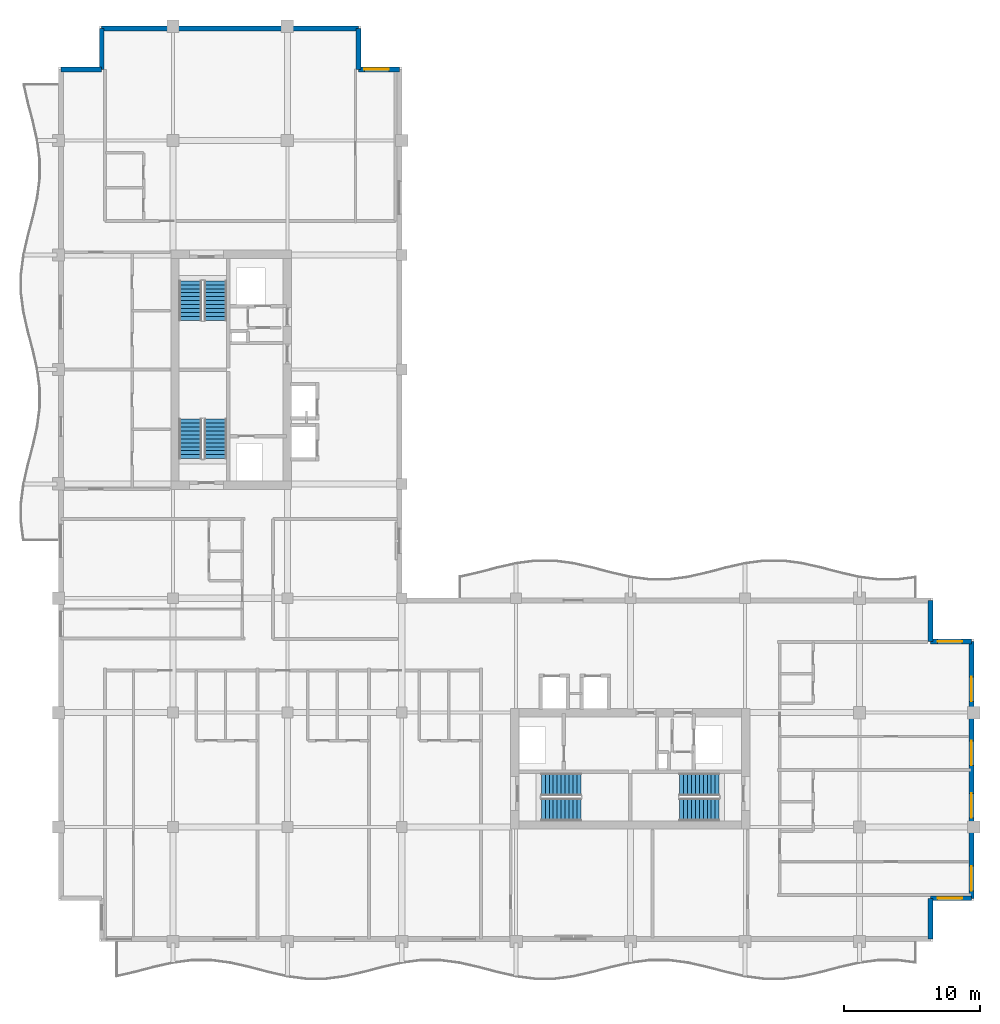
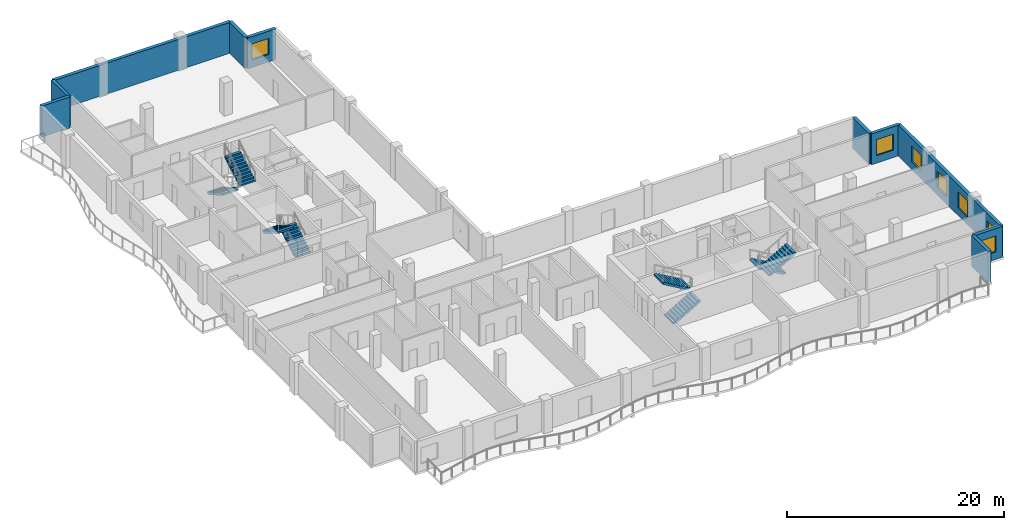
# One storey, part 8 of 12: 10 walls, 8 stair flights, 7 windows, 7 openings, 4 elements without a shape of their own.
"""IFC4 building model written with IfcOpenShell, lengths in metres."""

from ifc_helpers import new_model, si_unit, direction, frame, frame_2d, origin, place, context, subcontext, project, spatial, polyline, rectangle, outline, extrude, material, layer, layer_set, type_object, element, fill, aggregate, save


model = new_model("IFC4")

# Units and contexts
model_context = context("Model", 3, precision=1e-05, world=origin(), true_north=direction((0.0, 1.0)))
body_context = subcontext(model_context, "Body", "Model", "MODEL_VIEW")
ifc_project = project(units=[si_unit("LENGTHUNIT", "METRE"), si_unit("AREAUNIT", "SQUARE_METRE"), si_unit("VOLUMEUNIT", "CUBIC_METRE"), si_unit("PLANEANGLEUNIT", "RADIAN"), si_unit("MASSUNIT", "GRAM", prefix="KILO")], contexts=[model_context])

# Site, building, storey
site_placement = place(None, origin())
site = spatial("IfcSite", under=ifc_project, at=site_placement, CompositionType="ELEMENT")
building_placement = place(site_placement, origin())
building = spatial("IfcBuilding", under=site, at=building_placement, Name="Koriwani Terraces Tower", CompositionType="ELEMENT")
storey_placement = place(building_placement, frame((0.0, 0.0, 249.0)))
storey = spatial("IfcBuildingStorey", under=building, at=storey_placement, Name="L61", CompositionType="ELEMENT", Elevation=249.0)

# Walls
ifc_material_1 = material(Name="Concrete C50/60", Category="concrete")
ifc_layer = layer(ifc_material_1, 0.35009765625, Name="Concrete C50/60")
ifc_layer_set = layer_set([ifc_layer], Name="Concrete C50/60")
wall_type = type_object("IfcWallType", Name="WALL_EXT_BRUTALIST_350", PredefinedType="STANDARD", material=ifc_layer_set)
for number, where, z_axis, x_axis, name in (
    (1, (8.574951171875, 72.425048828125, 0.0), (0.0, 0.0, 1.0), (1.0, 0.0, 0.0), "L61 Fair-Faced Brutalist Exterior Wall (N3)"),
    (2, (11.574951171875, 72.425048828125, 0.0), (0.0, 0.0, 1.0), (0.0, 1.0, 0.0), "L61 Fair-Faced Brutalist Exterior Wall (N4)"),
):
    element("IfcWall", number, at=place(storey_placement, frame(where, z_axis=z_axis, x_axis=x_axis)), inside=storey, type_object=wall_type, Name=name, PredefinedType="STANDARD", context=body_context, shape_type="SweptSolid", body=[
        extrude(rectangle(XDim=3.0, YDim=0.35009765625, at=frame_2d((1.5, 0.0))), origin(), (0.0, 0.0, 1.0), 3.469970703125),
    ])
wall_1_placement = place(storey_placement, frame((11.574951171875, 75.425048828125, 0.0), z_axis=(0.0, 0.0, 1.0), x_axis=(1.0, 0.0, 0.0)))
element("IfcWall", 3, at=wall_1_placement, inside=storey, type_object=wall_type, Name="L61 Fair-Faced Brutalist Exterior Wall (N_TIP)", PredefinedType="STANDARD", context=body_context, shape_type="SweptSolid", body=[
    extrude(rectangle(XDim=18.85009765625, YDim=0.35009765625, at=frame_2d((9.425048828125, 0.0))), origin(), (0.0, 0.0, 1.0), 3.469970703125),
])
wall_2_placement = place(storey_placement, frame((30.425048828125, 75.425048828125, 0.0), z_axis=(0.0, 0.0, 1.0), x_axis=(0.0, -1.0, 0.0)))
element("IfcWall", 4, at=wall_2_placement, inside=storey, type_object=wall_type, Name="L61 Fair-Faced Brutalist Exterior Wall (N6)", PredefinedType="STANDARD", context=body_context, shape_type="SweptSolid", body=[
    extrude(rectangle(XDim=3.0, YDim=0.35009765625, at=frame_2d((1.5, 0.0))), origin(), (0.0, 0.0, 1.0), 3.469970703125),
])

# Wall, opening, window
wall_3_placement = place(storey_placement, frame((30.425048828125, 72.425048828125, 0.0), z_axis=(0.0, 0.0, 1.0), x_axis=(1.0, 0.0, 0.0)))
wall_3 = element("IfcWall", 5, at=wall_3_placement, inside=storey, type_object=wall_type, Name="L61 Fair-Faced Brutalist Exterior Wall (N7)", PredefinedType="STANDARD", context=body_context, shape_type="SweptSolid", body=[
    extrude(rectangle(XDim=3.0, YDim=0.35009765625, at=frame_2d((1.5, 0.0))), origin(), (0.0, 0.0, 1.0), 3.469970703125),
])
opening_1_placement = place(wall_3_placement, frame((0.4375, 0.0, 0.85009765625)))
opening_1 = element("IfcOpeningElement", 6, at=opening_1_placement, cuts=wall_3, Name="Opening W-04", PredefinedType="OPENING", context=body_context, shape_type="SweptSolid", body=[
    extrude(rectangle(XDim=1.800048828125, YDim=1.800048828125, at=frame_2d((0.89990234375, 0.89990234375))), frame((0.0, 0.18505859375, 0.0), z_axis=(0.0, -1.0, 0.0), x_axis=(1.0, 0.0, 0.0)), (0.0, 0.0, 1.0), 0.3701171875),
])
ifc_material_2 = material(Name="Tempered Laminated Low-E Glass", Category="glass")
window_type = type_object("IfcWindowType", Name="WIN_RES_BED_1800X1800", PartitioningType="DOUBLE_PANEL_VERTICAL", PredefinedType="WINDOW", material=ifc_material_2)
window_1_placement = place(opening_1_placement, origin())
window_1 = element("IfcWindow", 7, at=window_1_placement, inside=storey, type_object=window_type, Name="L61 Exterior Window (N7-R48)", OverallHeight=1.800048828125, OverallWidth=1.800048828125, PartitioningType="SINGLE_PANEL", PredefinedType="WINDOW", context=body_context, shape_type="SweptSolid", body=[
    extrude(rectangle(XDim=1.800048828125, YDim=1.800048828125, at=frame_2d((0.89990234375, 0.89990234375))), frame((0.0, 0.030029296875, 0.0), z_axis=(0.0, -1.0, 0.0), x_axis=(1.0, 0.0, 0.0)), (0.0, 0.0, 1.0), 0.06005859375),
])
fill(opening_1, window_1)

# Wall
wall_4_placement = place(storey_placement, frame((72.425048828125, 33.425048828125, 0.0), z_axis=(0.0, 0.0, 1.0), x_axis=(0.0, -1.0, 0.0)))
element("IfcWall", 8, at=wall_4_placement, inside=storey, type_object=wall_type, Name="L61 Fair-Faced Brutalist Exterior Wall (N10)", PredefinedType="STANDARD", context=body_context, shape_type="SweptSolid", body=[
    extrude(rectangle(XDim=3.0, YDim=0.35009765625, at=frame_2d((1.5, 0.0))), origin(), (0.0, 0.0, 1.0), 3.469970703125),
])

# Wall, opening, window
wall_5_placement = place(storey_placement, frame((72.425048828125, 30.425048828125, 0.0), z_axis=(0.0, 0.0, 1.0), x_axis=(1.0, 0.0, 0.0)))
wall_5 = element("IfcWall", 9, at=wall_5_placement, inside=storey, type_object=wall_type, Name="L61 Fair-Faced Brutalist Exterior Wall (N11)", PredefinedType="STANDARD", context=body_context, shape_type="SweptSolid", body=[
    extrude(rectangle(XDim=3.0, YDim=0.35009765625, at=frame_2d((1.5, 0.0))), origin(), (0.0, 0.0, 1.0), 3.469970703125),
])
opening_2_placement = place(wall_5_placement, frame((0.507568359375, 0.0, 0.85009765625)))
opening_2 = element("IfcOpeningElement", 10, at=opening_2_placement, cuts=wall_5, Name="Opening W-04", PredefinedType="OPENING", context=body_context, shape_type="SweptSolid", body=[
    extrude(rectangle(XDim=1.800048828125, YDim=1.800048828125, at=frame_2d((0.89990234375, 0.89990234375))), frame((0.0, 0.18505859375, 0.0), z_axis=(0.0, -1.0, 0.0), x_axis=(1.0, 0.0, 0.0)), (0.0, 0.0, 1.0), 0.3701171875),
])
window_2_placement = place(opening_2_placement, origin())
window_2 = element("IfcWindow", 11, at=window_2_placement, inside=storey, type_object=window_type, Name="L61 Exterior Window (N11-R57)", OverallHeight=1.800048828125, OverallWidth=1.800048828125, PartitioningType="SINGLE_PANEL", PredefinedType="WINDOW", context=body_context, shape_type="SweptSolid", body=[
    extrude(rectangle(XDim=1.800048828125, YDim=1.800048828125, at=frame_2d((0.89990234375, 0.89990234375))), frame((0.0, 0.030029296875, 0.0), z_axis=(0.0, -1.0, 0.0), x_axis=(1.0, 0.0, 0.0)), (0.0, 0.0, 1.0), 0.06005859375),
])
fill(opening_2, window_2)

# Wall, openings, windows
wall_6_placement = place(storey_placement, frame((75.425048828125, 30.425048828125, 0.0), z_axis=(0.0, 0.0, 1.0), x_axis=(0.0, -1.0, 0.0)))
wall_6 = element("IfcWall", 12, at=wall_6_placement, inside=storey, type_object=wall_type, Name="L61 Fair-Faced Brutalist Exterior Wall (E_TIP)", PredefinedType="STANDARD", context=body_context, shape_type="SweptSolid", body=[
    extrude(rectangle(XDim=18.85009765625, YDim=0.35009765625, at=frame_2d((9.425048828125, 0.0))), origin(), (0.0, 0.0, 1.0), 3.469970703125),
])
opening_3_placement = place(wall_6_placement, frame((16.5, 0.0, 0.85009765625)))
opening_3 = element("IfcOpeningElement", 13, at=opening_3_placement, cuts=wall_6, Name="Opening W-04", PredefinedType="OPENING", context=body_context, shape_type="SweptSolid", body=[
    extrude(rectangle(XDim=1.800048828125, YDim=1.800048828125, at=frame_2d((0.89990234375, 0.89990234375))), frame((0.0, 0.18505859375, 0.0), z_axis=(0.0, -1.0, 0.0), x_axis=(1.0, 0.0, 0.0)), (0.0, 0.0, 1.0), 0.3701171875),
])
opening_4_placement = place(wall_6_placement, frame((11.14990234375, 0.0, 0.85009765625)))
opening_4 = element("IfcOpeningElement", 14, at=opening_4_placement, cuts=wall_6, Name="Opening W-04", PredefinedType="OPENING", context=body_context, shape_type="SweptSolid", body=[
    extrude(rectangle(XDim=1.800048828125, YDim=1.800048828125, at=frame_2d((0.89990234375, 0.89990234375))), frame((0.0, 0.18505859375, 0.0), z_axis=(0.0, -1.0, 0.0), x_axis=(1.0, 0.0, 0.0)), (0.0, 0.0, 1.0), 0.3701171875),
])
opening_5_placement = place(wall_6_placement, frame((7.300048828125, 0.0, 0.85009765625)))
opening_5 = element("IfcOpeningElement", 15, at=opening_5_placement, cuts=wall_6, Name="Opening W-04", PredefinedType="OPENING", context=body_context, shape_type="SweptSolid", body=[
    extrude(rectangle(XDim=1.800048828125, YDim=1.800048828125, at=frame_2d((0.89990234375, 0.89990234375))), frame((0.0, 0.18505859375, 0.0), z_axis=(0.0, -1.0, 0.0), x_axis=(1.0, 0.0, 0.0)), (0.0, 0.0, 1.0), 0.3701171875),
])
opening_6_placement = place(wall_6_placement, frame((2.60009765625, 0.0, 0.85009765625)))
opening_6 = element("IfcOpeningElement", 16, at=opening_6_placement, cuts=wall_6, Name="Opening W-04", PredefinedType="OPENING", context=body_context, shape_type="SweptSolid", body=[
    extrude(rectangle(XDim=1.800048828125, YDim=1.800048828125, at=frame_2d((0.89990234375, 0.89990234375))), frame((0.0, 0.18505859375, 0.0), z_axis=(0.0, -1.0, 0.0), x_axis=(1.0, 0.0, 0.0)), (0.0, 0.0, 1.0), 0.3701171875),
])
window_3_placement = place(opening_3_placement, origin())
window_3 = element("IfcWindow", 17, at=window_3_placement, inside=storey, type_object=window_type, Name="L61 Exterior Window (E_TIP-R52)", OverallHeight=1.800048828125, OverallWidth=1.800048828125, PartitioningType="SINGLE_PANEL", PredefinedType="WINDOW", context=body_context, shape_type="SweptSolid", body=[
    extrude(rectangle(XDim=1.800048828125, YDim=1.800048828125, at=frame_2d((0.89990234375, 0.89990234375))), frame((0.0, 0.030029296875, 0.0), z_axis=(0.0, -1.0, 0.0), x_axis=(1.0, 0.0, 0.0)), (0.0, 0.0, 1.0), 0.06005859375),
])
fill(opening_3, window_3)
window_4_placement = place(opening_4_placement, origin())
window_4 = element("IfcWindow", 18, at=window_4_placement, inside=storey, type_object=window_type, Name="L61 Exterior Window (E_TIP-R53)", OverallHeight=1.800048828125, OverallWidth=1.800048828125, PartitioningType="SINGLE_PANEL", PredefinedType="WINDOW", context=body_context, shape_type="SweptSolid", body=[
    extrude(rectangle(XDim=1.800048828125, YDim=1.800048828125, at=frame_2d((0.89990234375, 0.89990234375))), frame((0.0, 0.030029296875, 0.0), z_axis=(0.0, -1.0, 0.0), x_axis=(1.0, 0.0, 0.0)), (0.0, 0.0, 1.0), 0.06005859375),
])
fill(opening_4, window_4)
window_5_placement = place(opening_5_placement, origin())
window_5 = element("IfcWindow", 19, at=window_5_placement, inside=storey, type_object=window_type, Name="L61 Exterior Window (E_TIP-R56)", OverallHeight=1.800048828125, OverallWidth=1.800048828125, PartitioningType="SINGLE_PANEL", PredefinedType="WINDOW", context=body_context, shape_type="SweptSolid", body=[
    extrude(rectangle(XDim=1.800048828125, YDim=1.800048828125, at=frame_2d((0.89990234375, 0.89990234375))), frame((0.0, 0.030029296875, 0.0), z_axis=(0.0, -1.0, 0.0), x_axis=(1.0, 0.0, 0.0)), (0.0, 0.0, 1.0), 0.06005859375),
])
fill(opening_5, window_5)
window_6_placement = place(opening_6_placement, origin())
window_6 = element("IfcWindow", 20, at=window_6_placement, inside=storey, type_object=window_type, Name="L61 Exterior Window (E_TIP-R57)", OverallHeight=1.800048828125, OverallWidth=1.800048828125, PartitioningType="SINGLE_PANEL", PredefinedType="WINDOW", context=body_context, shape_type="SweptSolid", body=[
    extrude(rectangle(XDim=1.800048828125, YDim=1.800048828125, at=frame_2d((0.89990234375, 0.89990234375))), frame((0.0, 0.030029296875, 0.0), z_axis=(0.0, -1.0, 0.0), x_axis=(1.0, 0.0, 0.0)), (0.0, 0.0, 1.0), 0.06005859375),
])
fill(opening_6, window_6)

# Wall, opening, window
wall_7_placement = place(storey_placement, frame((75.425048828125, 11.574951171875, 0.0), z_axis=(0.0, 0.0, 1.0), x_axis=(-1.0, 0.0, 0.0)))
wall_7 = element("IfcWall", 21, at=wall_7_placement, inside=storey, type_object=wall_type, Name="L61 Fair-Faced Brutalist Exterior Wall (N13)", PredefinedType="STANDARD", context=body_context, shape_type="SweptSolid", body=[
    extrude(rectangle(XDim=3.0, YDim=0.35009765625, at=frame_2d((1.5, 0.0))), origin(), (0.0, 0.0, 1.0), 3.469970703125),
])
opening_7_placement = place(wall_7_placement, frame((0.6923828125, 0.0, 0.85009765625)))
opening_7 = element("IfcOpeningElement", 22, at=opening_7_placement, cuts=wall_7, Name="Opening W-04", PredefinedType="OPENING", context=body_context, shape_type="SweptSolid", body=[
    extrude(rectangle(XDim=1.800048828125, YDim=1.800048828125, at=frame_2d((0.89990234375, 0.89990234375))), frame((0.0, 0.18505859375, 0.0), z_axis=(0.0, -1.0, 0.0), x_axis=(1.0, 0.0, 0.0)), (0.0, 0.0, 1.0), 0.3701171875),
])
window_7_placement = place(opening_7_placement, origin())
window_7 = element("IfcWindow", 23, at=window_7_placement, inside=storey, type_object=window_type, Name="L61 Exterior Window (N13-R52)", OverallHeight=1.800048828125, OverallWidth=1.800048828125, PartitioningType="SINGLE_PANEL", PredefinedType="WINDOW", context=body_context, shape_type="SweptSolid", body=[
    extrude(rectangle(XDim=1.800048828125, YDim=1.800048828125, at=frame_2d((0.89990234375, 0.89990234375))), frame((0.0, 0.030029296875, 0.0), z_axis=(0.0, -1.0, 0.0), x_axis=(1.0, 0.0, 0.0)), (0.0, 0.0, 1.0), 0.06005859375),
])
fill(opening_7, window_7)

# Wall
wall_8_placement = place(storey_placement, frame((72.425048828125, 11.574951171875, 0.0), z_axis=(0.0, 0.0, 1.0), x_axis=(0.0, -1.0, 0.0)))
element("IfcWall", 24, at=wall_8_placement, inside=storey, type_object=wall_type, Name="L61 Fair-Faced Brutalist Exterior Wall (N14)", PredefinedType="STANDARD", context=body_context, shape_type="SweptSolid", body=[
    extrude(rectangle(XDim=3.0, YDim=0.35009765625, at=frame_2d((1.5, 0.0))), origin(), (0.0, 0.0, 1.0), 3.469970703125),
])

# Stair, stair flights
ifc_material_3 = material(Name="Concrete C40/50", Category="concrete")
stair_type = type_object("IfcStairType", Name="STAIR_CORE_DOGLEG_1650", PredefinedType="TWO_STRAIGHT_RUN_STAIR", material=ifc_material_3)
stair_1_placement = place(storey_placement, origin())
stair_1 = element("IfcStair", 25, at=stair_1_placement, inside=storey, type_object=stair_type, Name="L61 West Core Exit Stair 1", PredefinedType="HALF_TURN_STAIR")
stair_flight_type = type_object("IfcStairFlightType", Name="STAIR_FLIGHT_RC_1650", PredefinedType="STRAIGHT", material=ifc_material_3)
stair_flight_1_placement = place(storey_placement, frame((19.925048828125, 43.85009765625, 0.0), z_axis=(0.0, 0.0, 1.0), x_axis=(0.0, 1.0, 0.0)))
stair_flight_1 = element("IfcStairFlight", 26, at=stair_flight_1_placement, type_object=stair_flight_type, Name="ST-W1 flight 1", NumberOfRisers=11, NumberOfTreads=10, PredefinedType="STRAIGHT", RiserHeight=0.168181818, TreadLength=0.29, context=body_context, shape_type="SweptSolid", body=[
    extrude(outline(polyline([(0.0, 0.0), (0.0, 0.168212890625), (0.2900390625, 0.168212890625), (0.2900390625, 0.33642578125), (0.580078125, 0.33642578125), (0.580078125, 0.504638671875), (0.8701171875, 0.504638671875), (0.8701171875, 0.672607421875), (1.159912109375, 0.672607421875), (1.159912109375, 0.8408203125), (1.449951171875, 0.8408203125), (1.449951171875, 1.009033203125), (1.739990234375, 1.009033203125), (1.739990234375, 1.17724609375), (2.030029296875, 1.17724609375), (2.030029296875, 1.345458984375), (2.320068359375, 1.345458984375), (2.320068359375, 1.513671875), (2.610107421875, 1.513671875), (2.610107421875, 1.681884765625), (2.89990234375, 1.681884765625), (2.89990234375, 1.85009765625), (2.89990234375, 1.473876953125), (0.358642578125, 0.0), (0.0, 0.0)])), frame((0.0, 0.824951171875, 0.0), z_axis=(0.0, -1.0, 0.0), x_axis=(1.0, 0.0, 0.0)), (0.0, 0.0, 1.0), 1.64990234375),
])
stair_flight_2_placement = place(storey_placement, frame((18.074951171875, 46.75, 1.85009765625), z_axis=(0.0, 0.0, 1.0), x_axis=(0.0, -1.0, 0.0)))
stair_flight_2 = element("IfcStairFlight", 27, at=stair_flight_2_placement, type_object=stair_flight_type, Name="ST-W1 flight 2", NumberOfRisers=11, NumberOfTreads=10, PredefinedType="STRAIGHT", RiserHeight=0.168181818, TreadLength=0.29, context=body_context, shape_type="SweptSolid", body=[
    extrude(outline(polyline([(0.0, 0.0), (0.0, 0.168212890625), (0.2900390625, 0.168212890625), (0.2900390625, 0.33642578125), (0.580078125, 0.33642578125), (0.580078125, 0.504638671875), (0.8701171875, 0.504638671875), (0.8701171875, 0.672607421875), (1.159912109375, 0.672607421875), (1.159912109375, 0.8408203125), (1.449951171875, 0.8408203125), (1.449951171875, 1.009033203125), (1.739990234375, 1.009033203125), (1.739990234375, 1.17724609375), (2.030029296875, 1.17724609375), (2.030029296875, 1.345458984375), (2.320068359375, 1.345458984375), (2.320068359375, 1.513671875), (2.610107421875, 1.513671875), (2.610107421875, 1.681884765625), (2.89990234375, 1.681884765625), (2.89990234375, 1.85009765625), (2.89990234375, 1.473876953125), (0.358642578125, 0.0), (0.0, 0.0)])), frame((0.0, 0.824951171875, 0.0), z_axis=(0.0, -1.0, 0.0), x_axis=(1.0, 0.0, 0.0)), (0.0, 0.0, 1.0), 1.64990234375),
])
aggregate(stair_1, [stair_flight_1, stair_flight_2])

stair_2_placement = place(storey_placement, origin())
stair_2 = element("IfcStair", 28, at=stair_2_placement, inside=storey, type_object=stair_type, Name="L61 West Core Exit Stair 2", PredefinedType="HALF_TURN_STAIR")
stair_flight_3_placement = place(storey_placement, frame((18.074951171875, 56.89990234375, 0.0), z_axis=(0.0, 0.0, 1.0), x_axis=(0.0, -1.0, 0.0)))
stair_flight_3 = element("IfcStairFlight", 29, at=stair_flight_3_placement, type_object=stair_flight_type, Name="ST-W2 flight 1", NumberOfRisers=11, NumberOfTreads=10, PredefinedType="STRAIGHT", RiserHeight=0.168181818, TreadLength=0.29, context=body_context, shape_type="SweptSolid", body=[
    extrude(outline(polyline([(0.0, 0.0), (0.0, 0.168212890625), (0.2900390625, 0.168212890625), (0.2900390625, 0.33642578125), (0.580078125, 0.33642578125), (0.580078125, 0.504638671875), (0.8701171875, 0.504638671875), (0.8701171875, 0.672607421875), (1.159912109375, 0.672607421875), (1.159912109375, 0.8408203125), (1.449951171875, 0.8408203125), (1.449951171875, 1.009033203125), (1.739990234375, 1.009033203125), (1.739990234375, 1.17724609375), (2.030029296875, 1.17724609375), (2.030029296875, 1.345458984375), (2.320068359375, 1.345458984375), (2.320068359375, 1.513671875), (2.610107421875, 1.513671875), (2.610107421875, 1.681884765625), (2.89990234375, 1.681884765625), (2.89990234375, 1.85009765625), (2.89990234375, 1.473876953125), (0.358642578125, 0.0), (0.0, 0.0)])), frame((0.0, 0.824951171875, 0.0), z_axis=(0.0, -1.0, 0.0), x_axis=(1.0, 0.0, 0.0)), (0.0, 0.0, 1.0), 1.64990234375),
])
stair_flight_4_placement = place(storey_placement, frame((19.925048828125, 54.0, 1.85009765625), z_axis=(0.0, 0.0, 1.0), x_axis=(0.0, 1.0, 0.0)))
stair_flight_4 = element("IfcStairFlight", 30, at=stair_flight_4_placement, type_object=stair_flight_type, Name="ST-W2 flight 2", NumberOfRisers=11, NumberOfTreads=10, PredefinedType="STRAIGHT", RiserHeight=0.168181818, TreadLength=0.29, context=body_context, shape_type="SweptSolid", body=[
    extrude(outline(polyline([(0.0, 0.0), (0.0, 0.168212890625), (0.2900390625, 0.168212890625), (0.2900390625, 0.33642578125), (0.580078125, 0.33642578125), (0.580078125, 0.504638671875), (0.8701171875, 0.504638671875), (0.8701171875, 0.672607421875), (1.159912109375, 0.672607421875), (1.159912109375, 0.8408203125), (1.449951171875, 0.8408203125), (1.449951171875, 1.009033203125), (1.739990234375, 1.009033203125), (1.739990234375, 1.17724609375), (2.030029296875, 1.17724609375), (2.030029296875, 1.345458984375), (2.320068359375, 1.345458984375), (2.320068359375, 1.513671875), (2.610107421875, 1.513671875), (2.610107421875, 1.681884765625), (2.89990234375, 1.681884765625), (2.89990234375, 1.85009765625), (2.89990234375, 1.473876953125), (0.358642578125, 0.0), (0.0, 0.0)])), frame((0.0, 0.824951171875, 0.0), z_axis=(0.0, -1.0, 0.0), x_axis=(1.0, 0.0, 0.0)), (0.0, 0.0, 1.0), 1.64990234375),
])
aggregate(stair_2, [stair_flight_3, stair_flight_4])

stair_3_placement = place(storey_placement, origin())
stair_3 = element("IfcStair", 31, at=stair_3_placement, inside=storey, type_object=stair_type, Name="L61 East Core Exit Stair 1", PredefinedType="HALF_TURN_STAIR")
stair_flight_5_placement = place(storey_placement, frame((43.85009765625, 18.074951171875, 0.0), z_axis=(0.0, 0.0, 1.0), x_axis=(1.0, 0.0, 0.0)))
stair_flight_5 = element("IfcStairFlight", 32, at=stair_flight_5_placement, type_object=stair_flight_type, Name="ST-E1 flight 1", NumberOfRisers=11, NumberOfTreads=10, PredefinedType="STRAIGHT", RiserHeight=0.168181818, TreadLength=0.29, context=body_context, shape_type="SweptSolid", body=[
    extrude(outline(polyline([(0.0, 0.0), (0.0, 0.168212890625), (0.2900390625, 0.168212890625), (0.2900390625, 0.33642578125), (0.580078125, 0.33642578125), (0.580078125, 0.504638671875), (0.8701171875, 0.504638671875), (0.8701171875, 0.672607421875), (1.159912109375, 0.672607421875), (1.159912109375, 0.8408203125), (1.449951171875, 0.8408203125), (1.449951171875, 1.009033203125), (1.739990234375, 1.009033203125), (1.739990234375, 1.17724609375), (2.030029296875, 1.17724609375), (2.030029296875, 1.345458984375), (2.320068359375, 1.345458984375), (2.320068359375, 1.513671875), (2.610107421875, 1.513671875), (2.610107421875, 1.681884765625), (2.89990234375, 1.681884765625), (2.89990234375, 1.85009765625), (2.89990234375, 1.473876953125), (0.358642578125, 0.0), (0.0, 0.0)])), frame((0.0, 0.824951171875, 0.0), z_axis=(0.0, -1.0, 0.0), x_axis=(1.0, 0.0, 0.0)), (0.0, 0.0, 1.0), 1.64990234375),
])
stair_flight_6_placement = place(storey_placement, frame((46.75, 19.925048828125, 1.85009765625), z_axis=(0.0, 0.0, 1.0), x_axis=(-1.0, 0.0, 0.0)))
stair_flight_6 = element("IfcStairFlight", 33, at=stair_flight_6_placement, type_object=stair_flight_type, Name="ST-E1 flight 2", NumberOfRisers=11, NumberOfTreads=10, PredefinedType="STRAIGHT", RiserHeight=0.168181818, TreadLength=0.29, context=body_context, shape_type="SweptSolid", body=[
    extrude(outline(polyline([(0.0, 0.0), (0.0, 0.168212890625), (0.2900390625, 0.168212890625), (0.2900390625, 0.33642578125), (0.580078125, 0.33642578125), (0.580078125, 0.504638671875), (0.8701171875, 0.504638671875), (0.8701171875, 0.672607421875), (1.159912109375, 0.672607421875), (1.159912109375, 0.8408203125), (1.449951171875, 0.8408203125), (1.449951171875, 1.009033203125), (1.739990234375, 1.009033203125), (1.739990234375, 1.17724609375), (2.030029296875, 1.17724609375), (2.030029296875, 1.345458984375), (2.320068359375, 1.345458984375), (2.320068359375, 1.513671875), (2.610107421875, 1.513671875), (2.610107421875, 1.681884765625), (2.89990234375, 1.681884765625), (2.89990234375, 1.85009765625), (2.89990234375, 1.473876953125), (0.358642578125, 0.0), (0.0, 0.0)])), frame((0.0, 0.824951171875, 0.0), z_axis=(0.0, -1.0, 0.0), x_axis=(1.0, 0.0, 0.0)), (0.0, 0.0, 1.0), 1.64990234375),
])
aggregate(stair_3, [stair_flight_5, stair_flight_6])

stair_4_placement = place(storey_placement, origin())
stair_4 = element("IfcStair", 34, at=stair_4_placement, inside=storey, type_object=stair_type, Name="L61 East Core Exit Stair 2", PredefinedType="HALF_TURN_STAIR")
stair_flight_7_placement = place(storey_placement, frame((56.89990234375, 19.925048828125, 0.0), z_axis=(0.0, 0.0, 1.0), x_axis=(-1.0, 0.0, 0.0)))
stair_flight_7 = element("IfcStairFlight", 35, at=stair_flight_7_placement, type_object=stair_flight_type, Name="ST-E2 flight 1", NumberOfRisers=11, NumberOfTreads=10, PredefinedType="STRAIGHT", RiserHeight=0.168181818, TreadLength=0.29, context=body_context, shape_type="SweptSolid", body=[
    extrude(outline(polyline([(0.0, 0.0), (0.0, 0.168212890625), (0.2900390625, 0.168212890625), (0.2900390625, 0.33642578125), (0.580078125, 0.33642578125), (0.580078125, 0.504638671875), (0.8701171875, 0.504638671875), (0.8701171875, 0.672607421875), (1.159912109375, 0.672607421875), (1.159912109375, 0.8408203125), (1.449951171875, 0.8408203125), (1.449951171875, 1.009033203125), (1.739990234375, 1.009033203125), (1.739990234375, 1.17724609375), (2.030029296875, 1.17724609375), (2.030029296875, 1.345458984375), (2.320068359375, 1.345458984375), (2.320068359375, 1.513671875), (2.610107421875, 1.513671875), (2.610107421875, 1.681884765625), (2.89990234375, 1.681884765625), (2.89990234375, 1.85009765625), (2.89990234375, 1.473876953125), (0.358642578125, 0.0), (0.0, 0.0)])), frame((0.0, 0.824951171875, 0.0), z_axis=(0.0, -1.0, 0.0), x_axis=(1.0, 0.0, 0.0)), (0.0, 0.0, 1.0), 1.64990234375),
])
stair_flight_8_placement = place(storey_placement, frame((54.0, 18.074951171875, 1.85009765625), z_axis=(0.0, 0.0, 1.0), x_axis=(1.0, 0.0, 0.0)))
stair_flight_8 = element("IfcStairFlight", 36, at=stair_flight_8_placement, type_object=stair_flight_type, Name="ST-E2 flight 2", NumberOfRisers=11, NumberOfTreads=10, PredefinedType="STRAIGHT", RiserHeight=0.168181818, TreadLength=0.29, context=body_context, shape_type="SweptSolid", body=[
    extrude(outline(polyline([(0.0, 0.0), (0.0, 0.168212890625), (0.2900390625, 0.168212890625), (0.2900390625, 0.33642578125), (0.580078125, 0.33642578125), (0.580078125, 0.504638671875), (0.8701171875, 0.504638671875), (0.8701171875, 0.672607421875), (1.159912109375, 0.672607421875), (1.159912109375, 0.8408203125), (1.449951171875, 0.8408203125), (1.449951171875, 1.009033203125), (1.739990234375, 1.009033203125), (1.739990234375, 1.17724609375), (2.030029296875, 1.17724609375), (2.030029296875, 1.345458984375), (2.320068359375, 1.345458984375), (2.320068359375, 1.513671875), (2.610107421875, 1.513671875), (2.610107421875, 1.681884765625), (2.89990234375, 1.681884765625), (2.89990234375, 1.85009765625), (2.89990234375, 1.473876953125), (0.358642578125, 0.0), (0.0, 0.0)])), frame((0.0, 0.824951171875, 0.0), z_axis=(0.0, -1.0, 0.0), x_axis=(1.0, 0.0, 0.0)), (0.0, 0.0, 1.0), 1.64990234375),
])
aggregate(stair_4, [stair_flight_7, stair_flight_8])

save(model, "model.ifc")
